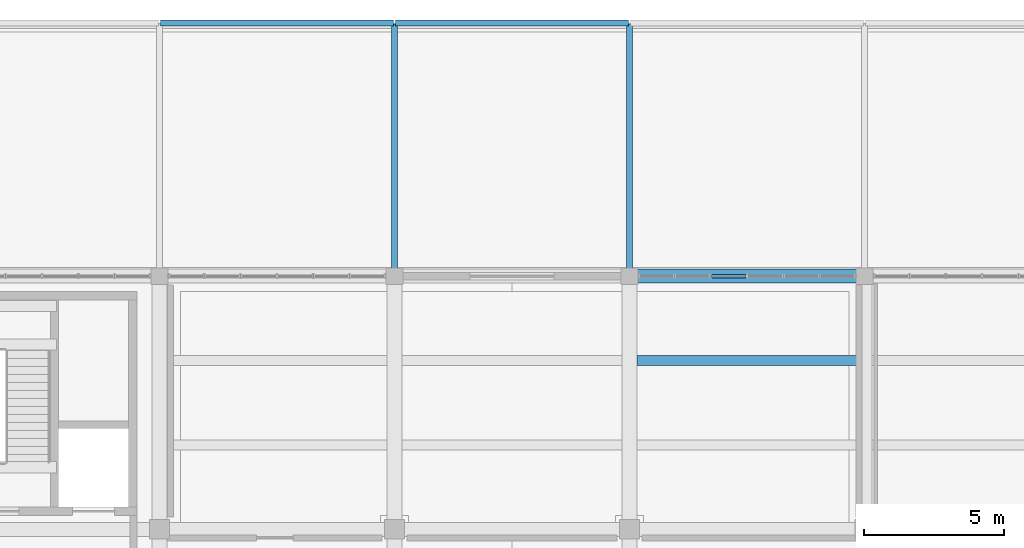
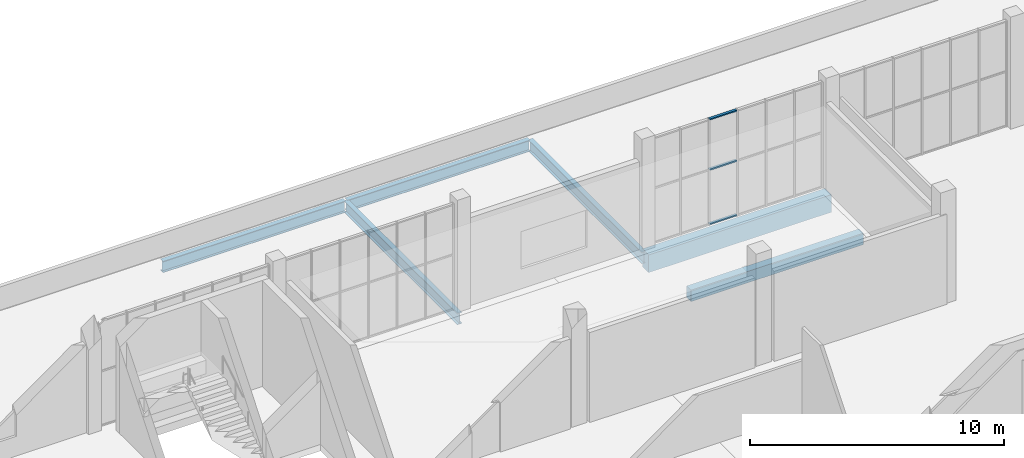
# One storey, part 89 of 132: 6 beams, 3 members, 1 element without a shape of its own.
"""IFC4 building model written with IfcOpenShell, lengths in metres."""

from ifc_helpers import new_model, si_unit, direction, frame, origin, origin_2d, place, context, subcontext, project, spatial, rectangle, hollow_rectangle, i_section, extrude, material, material_profile, profile_set, type_object, element, aggregate, save


model = new_model("IFC4")

# Units and contexts
model_context = context("Model", 3, precision=1e-05, world=origin(), true_north=direction((0.0, 1.0)))
body_context = subcontext(model_context, "Body", "Model", "MODEL_VIEW")
ifc_project = project(units=[si_unit("LENGTHUNIT", "METRE"), si_unit("AREAUNIT", "SQUARE_METRE"), si_unit("VOLUMEUNIT", "CUBIC_METRE"), si_unit("PLANEANGLEUNIT", "RADIAN"), si_unit("MASSUNIT", "GRAM", prefix="KILO")], contexts=[model_context])

# Site, building, storey
site_placement = place(None, origin())
site = spatial("IfcSite", under=ifc_project, at=site_placement, CompositionType="ELEMENT")
building_placement = place(site_placement, origin())
building = spatial("IfcBuilding", under=site, at=building_placement, Name="Khurvash Pelagic Aquarium", CompositionType="ELEMENT")
storey_placement = place(building_placement, frame((0.0, 0.0, 5.39990234375)))
storey = spatial("IfcBuildingStorey", under=building, at=storey_placement, Name="L01", CompositionType="ELEMENT", Elevation=5.39990234375)

# Beams
ifc_material_1 = material(Name="Steel ASTM A992 Grade 50", Category="steel")
ifc_material_profile_1 = material_profile(ifc_material_1, i_section(OverallWidth=0.214111328125, OverallDepth=0.549072265625, WebThickness=0.0146484375, FlangeThickness=0.023681640625, at=origin_2d()), Name="W21X93")
ifc_profile_set_1 = profile_set([ifc_material_profile_1], Name="Steel ASTM A992 Grade 50")
beam_type_1 = type_object("IfcBeamType", Name="BM-11", PredefinedType="BEAM", material=ifc_profile_set_1)
for number, where, z_axis, x_axis, name in (
    (1, (75.639892578125, 111.199951171875, -0.594482421875), (1.0, 0.0, 0.0), (0.0, 1.0, 0.0), "L01 Roof Girder BM-11 01199"),
    (2, (84.0400390625, 111.199951171875, -0.594482421875), (1.0, 0.0, 0.0), (0.0, 1.0, 0.0), "L01 Roof Girder BM-11 01200"),
):
    element("IfcBeam", number, at=place(storey_placement, frame(where, z_axis=z_axis, x_axis=x_axis)), inside=storey, type_object=beam_type_1, Name=name, PredefinedType="BEAM", context=body_context, shape_type="SweptSolid", body=[
        extrude(i_section(OverallWidth=0.214111328125, OverallDepth=0.549072265625, WebThickness=0.0146484375, FlangeThickness=0.023681640625, at=origin_2d()), origin(), (0.0, 0.0, 1.0), 8.320068359375),
    ])
for number, where, z_axis, x_axis, name in (
    (3, (84.0, 102.18994140625, -0.594482421875), (0.0, 1.0, 0.0), (-1.0, 0.0, 0.0), "L01 Roof Girder BM-11 01212"),
    (4, (92.39990234375, 102.18994140625, -0.594482421875), (0.0, 1.0, 0.0), (-1.0, 0.0, 0.0), "L01 Roof Girder BM-11 01213"),
):
    element("IfcBeam", number, at=place(storey_placement, frame(where, z_axis=z_axis, x_axis=x_axis)), inside=storey, type_object=beam_type_1, Name=name, PredefinedType="BEAM", context=body_context, shape_type="SweptSolid", body=[
        extrude(i_section(OverallWidth=0.214111328125, OverallDepth=0.549072265625, WebThickness=0.0146484375, FlangeThickness=0.023681640625, at=origin_2d()), origin(), (0.0, 0.0, 1.0), 8.969970703125),
    ])

# Curtain wall, members
ifc_material_2 = material(Name="Anodised aluminium and low-E laminated glass", Category="aluminium")
curtain_wall_type = type_object("IfcCurtainWallType", Name="CW-05", PredefinedType="USERDEFINED", material=ifc_material_2)
curtain_wall_placement = place(storey_placement, origin())
curtain_wall = element("IfcCurtainWall", 5, at=curtain_wall_placement, inside=storey, type_object=curtain_wall_type, Name="L01 Facade Unitised Curtain Wall CW-05 0116", ObjectType="UNITISED CURTAIN WALL", PredefinedType="USERDEFINED")
ifc_material_3 = material(Name="Extruded aluminium AW-6063-T6", Category="aluminium")
ifc_material_profile_2 = material_profile(ifc_material_3, hollow_rectangle(XDim=0.1201171875, YDim=0.06005859375, WallThickness=0.00390625, at=origin_2d()), Name="CWT120X60X4")
ifc_profile_set_2 = profile_set([ifc_material_profile_2], Name="Extruded aluminium AW-6063-T6")
member_type = type_object("IfcMemberType", Name="CT-02", PredefinedType="USERDEFINED", material=ifc_profile_set_2)
member_1_placement = place(storey_placement, frame((96.570068359375, 102.14990234375, 0.030029296875), z_axis=(-1.0, 0.0, 0.0), x_axis=(0.0, -1.0, 0.0)))
member_1 = element("IfcMember", 6, at=member_1_placement, type_object=member_type, Name="CW-05 transom 4.1", ObjectType="TRANSOM", PredefinedType="USERDEFINED", context=body_context, shape_type="SweptSolid", body=[
    extrude(hollow_rectangle(XDim=0.1201171875, YDim=0.06005859375, WallThickness=0.00390625, at=origin_2d()), origin(), (0.0, 0.0, 1.0), 1.23828125),
])
member_2_placement = place(storey_placement, frame((96.570068359375, 102.14990234375, 2.652099609375), z_axis=(-1.0, 0.0, 0.0), x_axis=(0.0, -1.0, 0.0)))
member_2 = element("IfcMember", 7, at=member_2_placement, type_object=member_type, Name="CW-05 transom 4.2", ObjectType="TRANSOM", PredefinedType="USERDEFINED", context=body_context, shape_type="SweptSolid", body=[
    extrude(hollow_rectangle(XDim=0.1201171875, YDim=0.06005859375, WallThickness=0.00390625, at=origin_2d()), origin(), (0.0, 0.0, 1.0), 1.23828125),
])
member_3_placement = place(storey_placement, frame((96.570068359375, 102.14990234375, 5.070068359375), z_axis=(-1.0, 0.0, 0.0), x_axis=(0.0, -1.0, 0.0)))
member_3 = element("IfcMember", 8, at=member_3_placement, type_object=member_type, Name="CW-05 transom 4.3", ObjectType="TRANSOM", PredefinedType="USERDEFINED", context=body_context, shape_type="SweptSolid", body=[
    extrude(hollow_rectangle(XDim=0.1201171875, YDim=0.06005859375, WallThickness=0.00390625, at=origin_2d()), origin(), (0.0, 0.0, 1.0), 1.23828125),
])
aggregate(curtain_wall, [member_1, member_2, member_3])

# Beams
ifc_material_4 = material(Name="Concrete C35/45", Category="concrete")
ifc_material_profile_3 = material_profile(ifc_material_4, rectangle(XDim=0.35009765625, YDim=0.550048828125, at=origin_2d()), Name="RC350X550")
ifc_profile_set_3 = profile_set([ifc_material_profile_3], Name="Concrete C35/45")
beam_type_2 = type_object("IfcBeamType", Name="JS-01", PredefinedType="JOIST", material=ifc_profile_set_3)
beam_1_placement = place(storey_placement, frame((92.675048828125, 99.133056640625, -0.5849609375), z_axis=(1.0, 0.0, 0.0), x_axis=(0.0, 1.0, 0.0)))
element("IfcBeam", 9, at=beam_1_placement, inside=storey, type_object=beam_type_2, Name="L01 Floor Joist JS-01 00539", PredefinedType="JOIST", context=body_context, shape_type="SweptSolid", body=[
    extrude(rectangle(XDim=0.35009765625, YDim=0.550048828125, at=origin_2d()), origin(), (0.0, 0.0, 1.0), 7.849853515625),
])
ifc_material_5 = material(Name="Concrete C40/50", Category="concrete")
ifc_material_profile_4 = material_profile(ifc_material_5, rectangle(XDim=0.5, YDim=0.85009765625, at=origin_2d()), Name="RC500X850")
ifc_profile_set_4 = profile_set([ifc_material_profile_4], Name="Concrete C40/50")
beam_type_3 = type_object("IfcBeamType", Name="SEB-03", PredefinedType="SPANDREL", material=ifc_profile_set_4)
beam_2_placement = place(storey_placement, frame((92.43994140625, 102.14990234375, -0.744873046875), z_axis=(1.0, 0.0, 0.0), x_axis=(0.0, 1.0, 0.0)))
element("IfcBeam", 10, at=beam_2_placement, inside=storey, type_object=beam_type_3, Name="L01 Primary Girder SEB-03 00344", PredefinedType="SPANDREL", context=body_context, shape_type="SweptSolid", body=[
    extrude(rectangle(XDim=0.5, YDim=0.85009765625, at=origin_2d()), origin(), (0.0, 0.0, 1.0), 8.320068359375),
])

save(model, "model.ifc")
